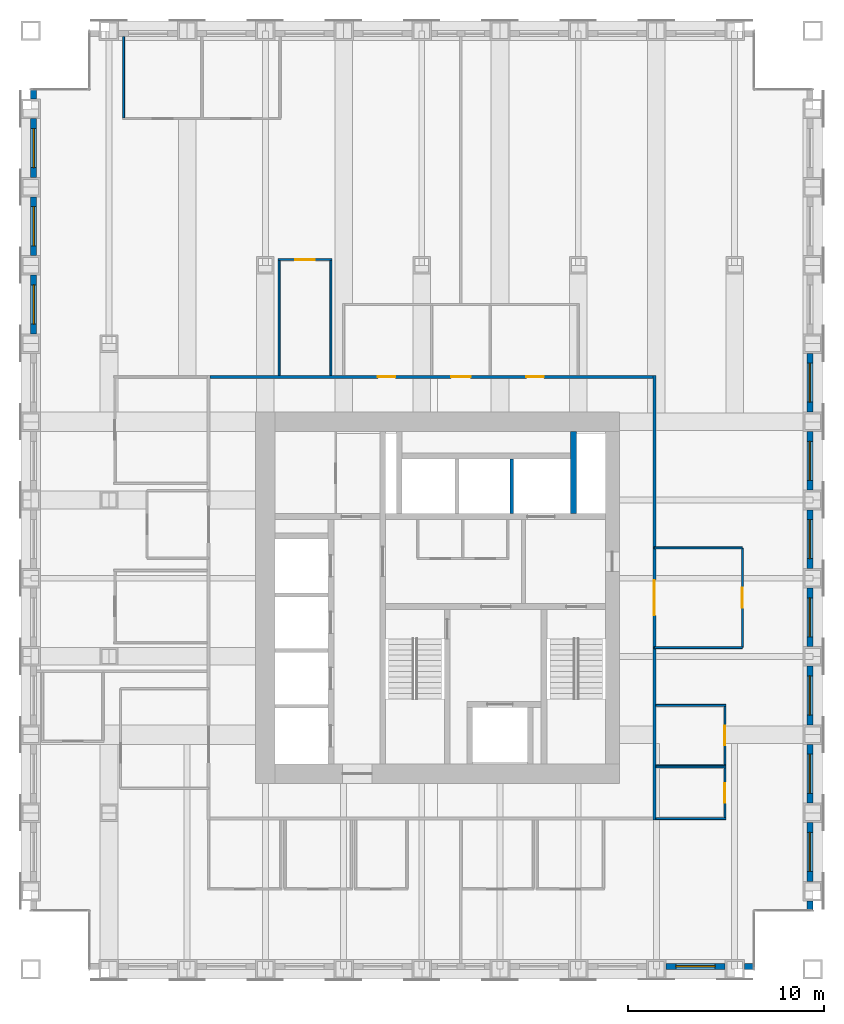
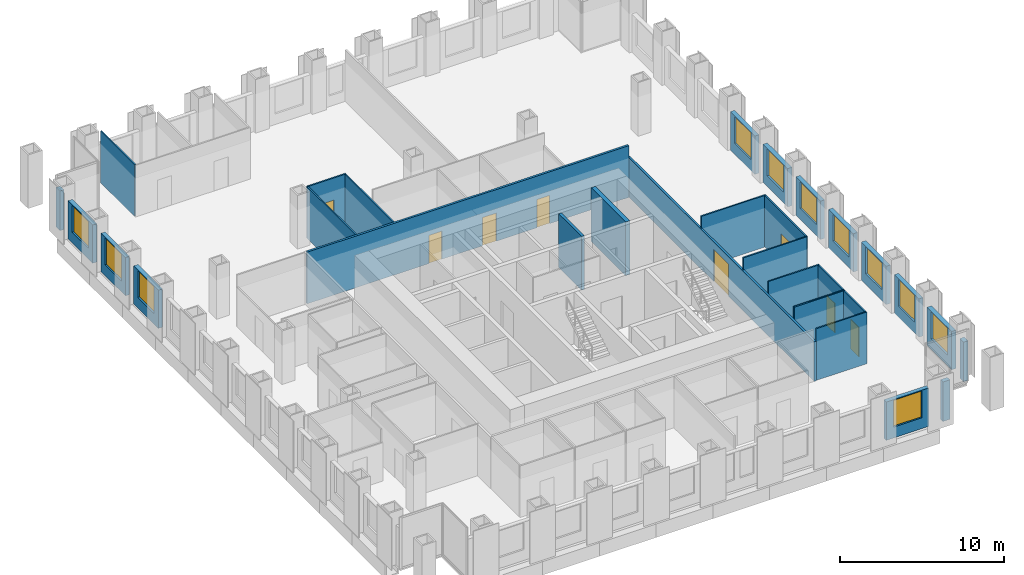
# One storey, part 11 of 14: 31 walls, 11 windows, 8 doors, 19 openings.
"""IFC4 building model written with IfcOpenShell, lengths in metres."""

from ifc_helpers import new_model, si_unit, direction, frame, frame_2d, origin, place, context, subcontext, project, spatial, rectangle, extrude, material, layer, layer_set, type_object, element, fill, save


model = new_model("IFC4")

# Units and contexts
model_context = context("Model", 3, precision=1e-05, world=origin(), true_north=direction((0.0, 1.0)))
body_context = subcontext(model_context, "Body", "Model", "MODEL_VIEW")
ifc_project = project(units=[si_unit("LENGTHUNIT", "METRE"), si_unit("AREAUNIT", "SQUARE_METRE"), si_unit("VOLUMEUNIT", "CUBIC_METRE"), si_unit("PLANEANGLEUNIT", "RADIAN"), si_unit("MASSUNIT", "GRAM", prefix="KILO")], contexts=[model_context])

# Site, building, storey
site_placement = place(None, origin())
site = spatial("IfcSite", under=ifc_project, at=site_placement, CompositionType="ELEMENT")
building_placement = place(site_placement, origin())
building = spatial("IfcBuilding", under=site, at=building_placement, Name="Rimbunsela Tower", CompositionType="ELEMENT")
storey_placement = place(building_placement, frame((0.0, 0.0, 179.800048828125)))
storey = spatial("IfcBuildingStorey", under=building, at=storey_placement, Name="L43", CompositionType="ELEMENT", Elevation=179.800048828125)

# Walls
ifc_material_1 = material(Name="Concrete fc' 80 MPa", Category="concrete")
ifc_layer_1 = layer(ifc_material_1, 0.300048828125)
ifc_layer_set_1 = layer_set([ifc_layer_1], Name="Core internal wall 300")
wall_type_1 = type_object("IfcWallType", Name="Core internal wall 300", PredefinedType="SHEAR", material=ifc_layer_set_1)
wall_1_placement = place(storey_placement, frame((33.75, 31.300048828125, -0.150146484375), z_axis=(0.0, 0.0, 1.0), x_axis=(0.0, 1.0, 0.0)))
element("IfcWall", 1, at=wall_1_placement, inside=storey, type_object=wall_type_1, Name="Riser wall", PredefinedType="SHEAR", context=body_context, shape_type="SweptSolid", body=[
    extrude(rectangle(XDim=4.199951171875, YDim=0.300048828125, at=frame_2d((2.10009765625, 0.0))), origin(), (0.0, 0.0, 1.0), 4.0),
])
ifc_material_2 = material(Name="Concrete blockwork", Category="masonry")
ifc_layer_2 = layer(ifc_material_2, 0.199951171875)
ifc_layer_set_2 = layer_set([ifc_layer_2], Name="Lift shaft wall 200")
wall_type_2 = type_object("IfcWallType", Name="Lift shaft wall 200", PredefinedType="SOLIDWALL", material=ifc_layer_set_2)
wall_2_placement = place(storey_placement, frame((30.60009765625, 31.300048828125, -0.150146484375), z_axis=(0.0, 0.0, 1.0), x_axis=(0.0, 1.0, 0.0)))
element("IfcWall", 2, at=wall_2_placement, inside=storey, type_object=wall_type_2, Name="Lift shaft separation", PredefinedType="SOLIDWALL", context=body_context, shape_type="SweptSolid", body=[
    extrude(rectangle(XDim=2.800048828125, YDim=0.199951171875, at=frame_2d((1.39990234375, 0.0))), origin(), (0.0, 0.0, 1.0), 4.0),
])
ifc_material_3 = material(Name="Gypsum board on steel studs", Category="steel")
ifc_layer_3 = layer(ifc_material_3, 0.10009765625)
ifc_layer_set_3 = layer_set([ifc_layer_3], Name="Office partition 100")
wall_type_3 = type_object("IfcWallType", Name="Office partition 100", PredefinedType="PARTITIONING", material=ifc_layer_set_3)
for number, where, z_axis, x_axis, name in (
    (3, (37.97509765625, 15.699951171875, 0.0), (0.0, 0.0, 1.0), (1.0, 0.0, 0.0), "Office partition"),
    (4, (37.97509765625, 18.35009765625, 0.0), (0.0, 0.0, 1.0), (1.0, 0.0, 0.0), "Office partition"),
    (5, (37.97509765625, 18.39990234375, 0.0), (0.0, 0.0, 1.0), (1.0, 0.0, 0.0), "Office partition"),
    (6, (37.97509765625, 21.5, 0.0), (0.0, 0.0, 1.0), (1.0, 0.0, 0.0), "Office partition"),
):
    element("IfcWall", number, at=place(storey_placement, frame(where, z_axis=z_axis, x_axis=x_axis)), inside=storey, type_object=wall_type_3, Name=name, PredefinedType="PARTITIONING", context=body_context, shape_type="SweptSolid", body=[
        extrude(rectangle(XDim=3.574951171875, YDim=0.10009765625, at=frame_2d((1.78759765625, 0.0))), origin(), (0.0, 0.0, 1.0), 3.849853515625),
    ])

# Wall, opening, door
wall_3_placement = place(storey_placement, frame((18.64990234375, 44.300048828125, 0.0), z_axis=(0.0, 0.0, 1.0), x_axis=(1.0, 0.0, 0.0)))
wall_3 = element("IfcWall", 7, at=wall_3_placement, inside=storey, type_object=wall_type_3, Name="Office partition", PredefinedType="PARTITIONING", context=body_context, shape_type="SweptSolid", body=[
    extrude(rectangle(XDim=2.75, YDim=0.10009765625, at=frame_2d((1.375, 0.0))), origin(), (0.0, 0.0, 1.0), 3.849853515625),
])
opening_1_placement = place(wall_3_placement, frame((0.875, 0.0, 0.0)))
opening_1 = element("IfcOpeningElement", 8, at=opening_1_placement, cuts=wall_3, Name="Opening D16", PredefinedType="OPENING", context=body_context, shape_type="SweptSolid", body=[
    extrude(rectangle(XDim=1.0, YDim=2.199951171875, at=frame_2d((0.5, 1.10009765625))), frame((0.0, 0.06005859375, 0.0), z_axis=(0.0, -1.0, 0.0), x_axis=(1.0, 0.0, 0.0)), (0.0, 0.0, 1.0), 0.1201171875),
])
ifc_material_4 = material(Name="Timber door", Category="wood")
door_type_1 = type_object("IfcDoorType", Name="Office door 1000", OperationType="SINGLE_SWING_LEFT", PredefinedType="DOOR", material=ifc_material_4)
door_1_placement = place(opening_1_placement, origin())
door_1 = element("IfcDoor", 9, at=door_1_placement, inside=storey, type_object=door_type_1, Name="Office door", OperationType="SINGLE_SWING_LEFT", OverallHeight=2.199951171875, OverallWidth=1.0, PredefinedType="DOOR", context=body_context, shape_type="SweptSolid", body=[
    extrude(rectangle(XDim=1.0, YDim=2.199951171875, at=frame_2d((0.5, 1.10009765625))), frame((0.0, 0.02490234375, 0.0), z_axis=(0.0, -1.0, 0.0), x_axis=(1.0, 0.0, 0.0)), (0.0, 0.0, 1.0), 0.050048828125),
])
fill(opening_1, door_1)

# Walls
wall_4_placement = place(storey_placement, frame((10.75, 51.550048828125, 0.0), z_axis=(0.0, 0.0, 1.0), x_axis=(0.0, 1.0, 0.0)))
element("IfcWall", 10, at=wall_4_placement, inside=storey, type_object=wall_type_3, Name="Office partition", PredefinedType="PARTITIONING", context=body_context, shape_type="SweptSolid", body=[
    extrude(rectangle(XDim=4.14990234375, YDim=0.10009765625, at=frame_2d((2.074951171875, 0.0))), origin(), (0.0, 0.0, 1.0), 3.849853515625),
])
for number, where, z_axis, x_axis, name in (
    (11, (18.699951171875, 38.375, 0.0), (0.0, 0.0, 1.0), (0.0, 1.0, 0.0), "Office partition"),
    (12, (21.35009765625, 38.375, 0.0), (0.0, 0.0, 1.0), (0.0, 1.0, 0.0), "Office partition"),
):
    element("IfcWall", number, at=place(storey_placement, frame(where, z_axis=z_axis, x_axis=x_axis)), inside=storey, type_object=wall_type_3, Name=name, PredefinedType="PARTITIONING", context=body_context, shape_type="SweptSolid", body=[
        extrude(rectangle(XDim=5.875, YDim=0.10009765625, at=frame_2d((2.9375, 0.0))), origin(), (0.0, 0.0, 1.0), 3.849853515625),
    ])

# Wall, opening, door
wall_5_placement = place(storey_placement, frame((41.5, 15.75, 0.0), z_axis=(0.0, 0.0, 1.0), x_axis=(0.0, 1.0, 0.0)))
wall_5 = element("IfcWall", 13, at=wall_5_placement, inside=storey, type_object=wall_type_3, Name="Office partition", PredefinedType="PARTITIONING", context=body_context, shape_type="SweptSolid", body=[
    extrude(rectangle(XDim=2.550048828125, YDim=0.10009765625, at=frame_2d((1.27490234375, 0.0))), origin(), (0.0, 0.0, 1.0), 3.849853515625),
])
opening_2_placement = place(wall_5_placement, frame((0.77490234375, 0.0, 0.0)))
opening_2 = element("IfcOpeningElement", 14, at=opening_2_placement, cuts=wall_5, Name="Opening D16", PredefinedType="OPENING", context=body_context, shape_type="SweptSolid", body=[
    extrude(rectangle(XDim=1.0, YDim=2.199951171875, at=frame_2d((0.5, 1.10009765625))), frame((0.0, 0.06005859375, 0.0), z_axis=(0.0, -1.0, 0.0), x_axis=(1.0, 0.0, 0.0)), (0.0, 0.0, 1.0), 0.1201171875),
])
door_2_placement = place(opening_2_placement, origin())
door_2 = element("IfcDoor", 15, at=door_2_placement, inside=storey, type_object=door_type_1, Name="Office door", OperationType="SINGLE_SWING_LEFT", OverallHeight=2.199951171875, OverallWidth=1.0, PredefinedType="DOOR", context=body_context, shape_type="SweptSolid", body=[
    extrude(rectangle(XDim=1.0, YDim=2.199951171875, at=frame_2d((0.5, 1.10009765625))), frame((0.0, 0.02490234375, 0.0), z_axis=(0.0, -1.0, 0.0), x_axis=(1.0, 0.0, 0.0)), (0.0, 0.0, 1.0), 0.050048828125),
])
fill(opening_2, door_2)

wall_6_placement = place(storey_placement, frame((41.5, 18.449951171875, 0.0), z_axis=(0.0, 0.0, 1.0), x_axis=(0.0, 1.0, 0.0)))
wall_6 = element("IfcWall", 16, at=wall_6_placement, inside=storey, type_object=wall_type_3, Name="Office partition", PredefinedType="PARTITIONING", context=body_context, shape_type="SweptSolid", body=[
    extrude(rectangle(XDim=3.0, YDim=0.10009765625, at=frame_2d((1.5, 0.0))), origin(), (0.0, 0.0, 1.0), 3.849853515625),
])
opening_3_placement = place(wall_6_placement, frame((1.0, 0.0, 0.0)))
opening_3 = element("IfcOpeningElement", 17, at=opening_3_placement, cuts=wall_6, Name="Opening D16", PredefinedType="OPENING", context=body_context, shape_type="SweptSolid", body=[
    extrude(rectangle(XDim=1.0, YDim=2.199951171875, at=frame_2d((0.5, 1.10009765625))), frame((0.0, 0.06005859375, 0.0), z_axis=(0.0, -1.0, 0.0), x_axis=(1.0, 0.0, 0.0)), (0.0, 0.0, 1.0), 0.1201171875),
])
door_3_placement = place(opening_3_placement, origin())
door_3 = element("IfcDoor", 18, at=door_3_placement, inside=storey, type_object=door_type_1, Name="Office door", OperationType="SINGLE_SWING_LEFT", OverallHeight=2.199951171875, OverallWidth=1.0, PredefinedType="DOOR", context=body_context, shape_type="SweptSolid", body=[
    extrude(rectangle(XDim=1.0, YDim=2.199951171875, at=frame_2d((0.5, 1.10009765625))), frame((0.0, 0.02490234375, 0.0), z_axis=(0.0, -1.0, 0.0), x_axis=(1.0, 0.0, 0.0)), (0.0, 0.0, 1.0), 0.050048828125),
])
fill(opening_3, door_3)

# Wall
wall_7_placement = place(storey_placement, frame((37.89990234375, 24.449951171875, 0.0), z_axis=(0.0, 0.0, 1.0), x_axis=(1.0, 0.0, 0.0)))
element("IfcWall", 19, at=wall_7_placement, inside=storey, type_object=wall_type_3, Name="Office partition", PredefinedType="PARTITIONING", context=body_context, shape_type="SweptSolid", body=[
    extrude(rectangle(XDim=4.5, YDim=0.10009765625, at=frame_2d((2.25, 0.0))), origin(), (0.0, 0.0, 1.0), 3.849853515625),
])

# Wall, opening, door
wall_8_placement = place(storey_placement, frame((42.39990234375, 24.449951171875, 0.0), z_axis=(0.0, 0.0, 1.0), x_axis=(0.0, 1.0, 0.0)))
wall_8 = element("IfcWall", 20, at=wall_8_placement, inside=storey, type_object=wall_type_3, Name="Office partition", PredefinedType="PARTITIONING", context=body_context, shape_type="SweptSolid", body=[
    extrude(rectangle(XDim=5.10009765625, YDim=0.10009765625, at=frame_2d((2.550048828125, 0.0))), origin(), (0.0, 0.0, 1.0), 3.849853515625),
])
opening_4_placement = place(wall_8_placement, frame((2.050048828125, 0.0, 0.0)))
opening_4 = element("IfcOpeningElement", 21, at=opening_4_placement, cuts=wall_8, Name="Opening D17", PredefinedType="OPENING", context=body_context, shape_type="SweptSolid", body=[
    extrude(rectangle(XDim=1.0, YDim=2.199951171875, at=frame_2d((0.5, 1.10009765625))), frame((0.0, 0.06005859375, 0.0), z_axis=(0.0, -1.0, 0.0), x_axis=(1.0, 0.0, 0.0)), (0.0, 0.0, 1.0), 0.1201171875),
])
ifc_material_5 = material(Name="Glazed aluminium door", Category="aluminium")
door_type_2 = type_object("IfcDoorType", Name="Meeting room door 1000 glazed", OperationType="SINGLE_SWING_RIGHT", PredefinedType="DOOR", material=ifc_material_5)
door_4_placement = place(opening_4_placement, origin())
door_4 = element("IfcDoor", 22, at=door_4_placement, inside=storey, type_object=door_type_2, Name="Reception door", OperationType="SINGLE_SWING_RIGHT", OverallHeight=2.199951171875, OverallWidth=1.0, PredefinedType="DOOR", context=body_context, shape_type="SweptSolid", body=[
    extrude(rectangle(XDim=1.0, YDim=2.199951171875, at=frame_2d((0.5, 1.10009765625))), frame((0.0, 0.02490234375, 0.0), z_axis=(0.0, -1.0, 0.0), x_axis=(1.0, 0.0, 0.0)), (0.0, 0.0, 1.0), 0.050048828125),
])
fill(opening_4, door_4)

# Wall
wall_9_placement = place(storey_placement, frame((42.39990234375, 29.550048828125, 0.0), z_axis=(0.0, 0.0, 1.0), x_axis=(-1.0, 0.0, 0.0)))
element("IfcWall", 23, at=wall_9_placement, inside=storey, type_object=wall_type_3, Name="Office partition", PredefinedType="PARTITIONING", context=body_context, shape_type="SweptSolid", body=[
    extrude(rectangle(XDim=4.5, YDim=0.10009765625, at=frame_2d((2.25, 0.0))), origin(), (0.0, 0.0, 1.0), 3.849853515625),
])

# Wall, opening, window
ifc_material_6 = material(Name="Precast concrete fc' 35 MPa", Category="concrete")
ifc_layer_4 = layer(ifc_material_6, 0.300048828125)
ifc_layer_set_4 = layer_set([ifc_layer_4], Name="Precast concrete fc' 35 MPa")
wall_type_4 = type_object("IfcWallType", Name="Precast facade panel 300", PredefinedType="ELEMENTEDWALL", material=ifc_layer_set_4)
wall_10_placement = place(storey_placement, frame((38.5, 8.14990234375, 0.0), z_axis=(0.0, 0.0, 1.0), x_axis=(1.0, 0.0, 0.0)))
wall_10 = element("IfcWall", 24, at=wall_10_placement, inside=storey, type_object=wall_type_4, Name="Facade panel S L43", PredefinedType="ELEMENTEDWALL", context=body_context, shape_type="SweptSolid", body=[
    extrude(rectangle(XDim=3.0, YDim=0.300048828125, at=frame_2d((1.5, 0.0))), origin(), (0.0, 0.0, 1.0), 2.849853515625),
])
opening_5_placement = place(wall_10_placement, frame((0.5, 0.0, 0.800048828125)))
opening_5 = element("IfcOpeningElement", 25, at=opening_5_placement, cuts=wall_10, Name="Opening W1", PredefinedType="OPENING", context=body_context, shape_type="SweptSolid", body=[
    extrude(rectangle(XDim=2.0, YDim=2.0, at=frame_2d((1.0, 1.0))), frame((0.0, 0.159912109375, 0.0), z_axis=(0.0, -1.0, 0.0), x_axis=(1.0, 0.0, 0.0)), (0.0, 0.0, 1.0), 0.320068359375),
])
ifc_material_7 = material(Name="Clear glass in aluminium frame", Category="aluminium")
window_type = type_object("IfcWindowType", Name="Window W1 2000x2000", PartitioningType="DOUBLE_PANEL_VERTICAL", PredefinedType="WINDOW", material=ifc_material_7)
window_1_placement = place(opening_5_placement, origin())
window_1 = element("IfcWindow", 26, at=window_1_placement, inside=storey, type_object=window_type, Name="Window L43", OverallHeight=2.0, OverallWidth=2.0, PartitioningType="SINGLE_PANEL", PredefinedType="WINDOW", context=body_context, shape_type="SweptSolid", body=[
    extrude(rectangle(XDim=2.0, YDim=2.0, at=frame_2d((1.0, 1.0))), frame((0.0, 0.030029296875, 0.0), z_axis=(0.0, -1.0, 0.0), x_axis=(1.0, 0.0, 0.0)), (0.0, 0.0, 1.0), 0.06005859375),
])
fill(opening_5, window_1)

# Walls
for number, where, z_axis, x_axis, name in (
    (27, (42.5, 8.14990234375, 0.0), (0.0, 0.0, 1.0), (1.0, 0.0, 0.0), "Facade panel S L43"),
    (28, (45.85009765625, 11.030029296875, 0.0), (0.0, 0.0, 1.0), (0.0, 1.0, 0.0), "Facade panel E L43"),
):
    element("IfcWall", number, at=place(storey_placement, frame(where, z_axis=z_axis, x_axis=x_axis)), inside=storey, type_object=wall_type_4, Name=name, PredefinedType="ELEMENTEDWALL", context=body_context, shape_type="SweptSolid", body=[
        extrude(rectangle(XDim=0.469970703125, YDim=0.300048828125, at=frame_2d((0.23486328125, 0.0))), origin(), (0.0, 0.0, 1.0), 2.949951171875),
    ])

# Wall, opening, window
wall_11_placement = place(storey_placement, frame((45.85009765625, 12.5, 0.0), z_axis=(0.0, 0.0, 1.0), x_axis=(0.0, 1.0, 0.0)))
wall_11 = element("IfcWall", 29, at=wall_11_placement, inside=storey, type_object=wall_type_4, Name="Facade panel E L43", PredefinedType="ELEMENTEDWALL", context=body_context, shape_type="SweptSolid", body=[
    extrude(rectangle(XDim=3.0, YDim=0.300048828125, at=frame_2d((1.5, 0.0))), origin(), (0.0, 0.0, 1.0), 2.849853515625),
])
opening_6_placement = place(wall_11_placement, frame((0.5, 0.0, 0.800048828125)))
opening_6 = element("IfcOpeningElement", 30, at=opening_6_placement, cuts=wall_11, Name="Opening W1", PredefinedType="OPENING", context=body_context, shape_type="SweptSolid", body=[
    extrude(rectangle(XDim=2.0, YDim=2.0, at=frame_2d((1.0, 1.0))), frame((0.0, 0.159912109375, 0.0), z_axis=(0.0, -1.0, 0.0), x_axis=(1.0, 0.0, 0.0)), (0.0, 0.0, 1.0), 0.320068359375),
])
window_2_placement = place(opening_6_placement, origin())
window_2 = element("IfcWindow", 31, at=window_2_placement, inside=storey, type_object=window_type, Name="Window L43", OverallHeight=2.0, OverallWidth=2.0, PartitioningType="SINGLE_PANEL", PredefinedType="WINDOW", context=body_context, shape_type="SweptSolid", body=[
    extrude(rectangle(XDim=2.0, YDim=2.0, at=frame_2d((1.0, 1.0))), frame((0.0, 0.030029296875, 0.0), z_axis=(0.0, -1.0, 0.0), x_axis=(1.0, 0.0, 0.0)), (0.0, 0.0, 1.0), 0.06005859375),
])
fill(opening_6, window_2)

wall_12_placement = place(storey_placement, frame((45.85009765625, 16.5, 0.0), z_axis=(0.0, 0.0, 1.0), x_axis=(0.0, 1.0, 0.0)))
wall_12 = element("IfcWall", 32, at=wall_12_placement, inside=storey, type_object=wall_type_4, Name="Facade panel E L43", PredefinedType="ELEMENTEDWALL", context=body_context, shape_type="SweptSolid", body=[
    extrude(rectangle(XDim=3.0, YDim=0.300048828125, at=frame_2d((1.5, 0.0))), origin(), (0.0, 0.0, 1.0), 2.849853515625),
])
opening_7_placement = place(wall_12_placement, frame((0.5, 0.0, 0.800048828125)))
opening_7 = element("IfcOpeningElement", 33, at=opening_7_placement, cuts=wall_12, Name="Opening W1", PredefinedType="OPENING", context=body_context, shape_type="SweptSolid", body=[
    extrude(rectangle(XDim=2.0, YDim=2.0, at=frame_2d((1.0, 1.0))), frame((0.0, 0.159912109375, 0.0), z_axis=(0.0, -1.0, 0.0), x_axis=(1.0, 0.0, 0.0)), (0.0, 0.0, 1.0), 0.320068359375),
])
window_3_placement = place(opening_7_placement, origin())
window_3 = element("IfcWindow", 34, at=window_3_placement, inside=storey, type_object=window_type, Name="Window L43", OverallHeight=2.0, OverallWidth=2.0, PartitioningType="SINGLE_PANEL", PredefinedType="WINDOW", context=body_context, shape_type="SweptSolid", body=[
    extrude(rectangle(XDim=2.0, YDim=2.0, at=frame_2d((1.0, 1.0))), frame((0.0, 0.030029296875, 0.0), z_axis=(0.0, -1.0, 0.0), x_axis=(1.0, 0.0, 0.0)), (0.0, 0.0, 1.0), 0.06005859375),
])
fill(opening_7, window_3)

wall_13_placement = place(storey_placement, frame((45.85009765625, 20.5, 0.0), z_axis=(0.0, 0.0, 1.0), x_axis=(0.0, 1.0, 0.0)))
wall_13 = element("IfcWall", 35, at=wall_13_placement, inside=storey, type_object=wall_type_4, Name="Facade panel E L43", PredefinedType="ELEMENTEDWALL", context=body_context, shape_type="SweptSolid", body=[
    extrude(rectangle(XDim=3.0, YDim=0.300048828125, at=frame_2d((1.5, 0.0))), origin(), (0.0, 0.0, 1.0), 2.849853515625),
])
opening_8_placement = place(wall_13_placement, frame((0.5, 0.0, 0.800048828125)))
opening_8 = element("IfcOpeningElement", 36, at=opening_8_placement, cuts=wall_13, Name="Opening W1", PredefinedType="OPENING", context=body_context, shape_type="SweptSolid", body=[
    extrude(rectangle(XDim=2.0, YDim=2.0, at=frame_2d((1.0, 1.0))), frame((0.0, 0.159912109375, 0.0), z_axis=(0.0, -1.0, 0.0), x_axis=(1.0, 0.0, 0.0)), (0.0, 0.0, 1.0), 0.320068359375),
])
window_4_placement = place(opening_8_placement, origin())
window_4 = element("IfcWindow", 37, at=window_4_placement, inside=storey, type_object=window_type, Name="Window L43", OverallHeight=2.0, OverallWidth=2.0, PartitioningType="SINGLE_PANEL", PredefinedType="WINDOW", context=body_context, shape_type="SweptSolid", body=[
    extrude(rectangle(XDim=2.0, YDim=2.0, at=frame_2d((1.0, 1.0))), frame((0.0, 0.030029296875, 0.0), z_axis=(0.0, -1.0, 0.0), x_axis=(1.0, 0.0, 0.0)), (0.0, 0.0, 1.0), 0.06005859375),
])
fill(opening_8, window_4)

wall_14_placement = place(storey_placement, frame((45.85009765625, 24.5, 0.0), z_axis=(0.0, 0.0, 1.0), x_axis=(0.0, 1.0, 0.0)))
wall_14 = element("IfcWall", 38, at=wall_14_placement, inside=storey, type_object=wall_type_4, Name="Facade panel E L43", PredefinedType="ELEMENTEDWALL", context=body_context, shape_type="SweptSolid", body=[
    extrude(rectangle(XDim=3.0, YDim=0.300048828125, at=frame_2d((1.5, 0.0))), origin(), (0.0, 0.0, 1.0), 2.849853515625),
])
opening_9_placement = place(wall_14_placement, frame((0.5, 0.0, 0.800048828125)))
opening_9 = element("IfcOpeningElement", 39, at=opening_9_placement, cuts=wall_14, Name="Opening W1", PredefinedType="OPENING", context=body_context, shape_type="SweptSolid", body=[
    extrude(rectangle(XDim=2.0, YDim=2.0, at=frame_2d((1.0, 1.0))), frame((0.0, 0.159912109375, 0.0), z_axis=(0.0, -1.0, 0.0), x_axis=(1.0, 0.0, 0.0)), (0.0, 0.0, 1.0), 0.320068359375),
])
window_5_placement = place(opening_9_placement, origin())
window_5 = element("IfcWindow", 40, at=window_5_placement, inside=storey, type_object=window_type, Name="Window L43", OverallHeight=2.0, OverallWidth=2.0, PartitioningType="SINGLE_PANEL", PredefinedType="WINDOW", context=body_context, shape_type="SweptSolid", body=[
    extrude(rectangle(XDim=2.0, YDim=2.0, at=frame_2d((1.0, 1.0))), frame((0.0, 0.030029296875, 0.0), z_axis=(0.0, -1.0, 0.0), x_axis=(1.0, 0.0, 0.0)), (0.0, 0.0, 1.0), 0.06005859375),
])
fill(opening_9, window_5)

wall_15_placement = place(storey_placement, frame((45.85009765625, 28.5, 0.0), z_axis=(0.0, 0.0, 1.0), x_axis=(0.0, 1.0, 0.0)))
wall_15 = element("IfcWall", 41, at=wall_15_placement, inside=storey, type_object=wall_type_4, Name="Facade panel E L43", PredefinedType="ELEMENTEDWALL", context=body_context, shape_type="SweptSolid", body=[
    extrude(rectangle(XDim=3.0, YDim=0.300048828125, at=frame_2d((1.5, 0.0))), origin(), (0.0, 0.0, 1.0), 2.849853515625),
])
opening_10_placement = place(wall_15_placement, frame((0.5, 0.0, 0.800048828125)))
opening_10 = element("IfcOpeningElement", 42, at=opening_10_placement, cuts=wall_15, Name="Opening W1", PredefinedType="OPENING", context=body_context, shape_type="SweptSolid", body=[
    extrude(rectangle(XDim=2.0, YDim=2.0, at=frame_2d((1.0, 1.0))), frame((0.0, 0.159912109375, 0.0), z_axis=(0.0, -1.0, 0.0), x_axis=(1.0, 0.0, 0.0)), (0.0, 0.0, 1.0), 0.320068359375),
])
window_6_placement = place(opening_10_placement, origin())
window_6 = element("IfcWindow", 43, at=window_6_placement, inside=storey, type_object=window_type, Name="Window L43", OverallHeight=2.0, OverallWidth=2.0, PartitioningType="SINGLE_PANEL", PredefinedType="WINDOW", context=body_context, shape_type="SweptSolid", body=[
    extrude(rectangle(XDim=2.0, YDim=2.0, at=frame_2d((1.0, 1.0))), frame((0.0, 0.030029296875, 0.0), z_axis=(0.0, -1.0, 0.0), x_axis=(1.0, 0.0, 0.0)), (0.0, 0.0, 1.0), 0.06005859375),
])
fill(opening_10, window_6)

wall_16_placement = place(storey_placement, frame((45.85009765625, 32.5, 0.0), z_axis=(0.0, 0.0, 1.0), x_axis=(0.0, 1.0, 0.0)))
wall_16 = element("IfcWall", 44, at=wall_16_placement, inside=storey, type_object=wall_type_4, Name="Facade panel E L43", PredefinedType="ELEMENTEDWALL", context=body_context, shape_type="SweptSolid", body=[
    extrude(rectangle(XDim=3.0, YDim=0.300048828125, at=frame_2d((1.5, 0.0))), origin(), (0.0, 0.0, 1.0), 2.849853515625),
])
opening_11_placement = place(wall_16_placement, frame((0.5, 0.0, 0.800048828125)))
opening_11 = element("IfcOpeningElement", 45, at=opening_11_placement, cuts=wall_16, Name="Opening W1", PredefinedType="OPENING", context=body_context, shape_type="SweptSolid", body=[
    extrude(rectangle(XDim=2.0, YDim=2.0, at=frame_2d((1.0, 1.0))), frame((0.0, 0.159912109375, 0.0), z_axis=(0.0, -1.0, 0.0), x_axis=(1.0, 0.0, 0.0)), (0.0, 0.0, 1.0), 0.320068359375),
])
window_7_placement = place(opening_11_placement, origin())
window_7 = element("IfcWindow", 46, at=window_7_placement, inside=storey, type_object=window_type, Name="Window L43", OverallHeight=2.0, OverallWidth=2.0, PartitioningType="SINGLE_PANEL", PredefinedType="WINDOW", context=body_context, shape_type="SweptSolid", body=[
    extrude(rectangle(XDim=2.0, YDim=2.0, at=frame_2d((1.0, 1.0))), frame((0.0, 0.030029296875, 0.0), z_axis=(0.0, -1.0, 0.0), x_axis=(1.0, 0.0, 0.0)), (0.0, 0.0, 1.0), 0.06005859375),
])
fill(opening_11, window_7)

wall_17_placement = place(storey_placement, frame((45.85009765625, 36.5, 0.0), z_axis=(0.0, 0.0, 1.0), x_axis=(0.0, 1.0, 0.0)))
wall_17 = element("IfcWall", 47, at=wall_17_placement, inside=storey, type_object=wall_type_4, Name="Facade panel E L43", PredefinedType="ELEMENTEDWALL", context=body_context, shape_type="SweptSolid", body=[
    extrude(rectangle(XDim=3.0, YDim=0.300048828125, at=frame_2d((1.5, 0.0))), origin(), (0.0, 0.0, 1.0), 2.849853515625),
])
opening_12_placement = place(wall_17_placement, frame((0.5, 0.0, 0.800048828125)))
opening_12 = element("IfcOpeningElement", 48, at=opening_12_placement, cuts=wall_17, Name="Opening W1", PredefinedType="OPENING", context=body_context, shape_type="SweptSolid", body=[
    extrude(rectangle(XDim=2.0, YDim=2.0, at=frame_2d((1.0, 1.0))), frame((0.0, 0.159912109375, 0.0), z_axis=(0.0, -1.0, 0.0), x_axis=(1.0, 0.0, 0.0)), (0.0, 0.0, 1.0), 0.320068359375),
])
window_8_placement = place(opening_12_placement, origin())
window_8 = element("IfcWindow", 49, at=window_8_placement, inside=storey, type_object=window_type, Name="Window L43", OverallHeight=2.0, OverallWidth=2.0, PartitioningType="SINGLE_PANEL", PredefinedType="WINDOW", context=body_context, shape_type="SweptSolid", body=[
    extrude(rectangle(XDim=2.0, YDim=2.0, at=frame_2d((1.0, 1.0))), frame((0.0, 0.030029296875, 0.0), z_axis=(0.0, -1.0, 0.0), x_axis=(1.0, 0.0, 0.0)), (0.0, 0.0, 1.0), 0.06005859375),
])
fill(opening_12, window_8)

wall_18_placement = place(storey_placement, frame((6.14990234375, 43.5, 0.0), z_axis=(0.0, 0.0, 1.0), x_axis=(0.0, -1.0, 0.0)))
wall_18 = element("IfcWall", 50, at=wall_18_placement, inside=storey, type_object=wall_type_4, Name="Facade panel W L43", PredefinedType="ELEMENTEDWALL", context=body_context, shape_type="SweptSolid", body=[
    extrude(rectangle(XDim=3.0, YDim=0.300048828125, at=frame_2d((1.5, 0.0))), origin(), (0.0, 0.0, 1.0), 2.849853515625),
])
opening_13_placement = place(wall_18_placement, frame((0.5, 0.0, 0.800048828125)))
opening_13 = element("IfcOpeningElement", 51, at=opening_13_placement, cuts=wall_18, Name="Opening W1", PredefinedType="OPENING", context=body_context, shape_type="SweptSolid", body=[
    extrude(rectangle(XDim=2.0, YDim=2.0, at=frame_2d((1.0, 1.0))), frame((0.0, 0.159912109375, 0.0), z_axis=(0.0, -1.0, 0.0), x_axis=(1.0, 0.0, 0.0)), (0.0, 0.0, 1.0), 0.320068359375),
])
window_9_placement = place(opening_13_placement, origin())
window_9 = element("IfcWindow", 52, at=window_9_placement, inside=storey, type_object=window_type, Name="Window L43", OverallHeight=2.0, OverallWidth=2.0, PartitioningType="SINGLE_PANEL", PredefinedType="WINDOW", context=body_context, shape_type="SweptSolid", body=[
    extrude(rectangle(XDim=2.0, YDim=2.0, at=frame_2d((1.0, 1.0))), frame((0.0, 0.030029296875, 0.0), z_axis=(0.0, -1.0, 0.0), x_axis=(1.0, 0.0, 0.0)), (0.0, 0.0, 1.0), 0.06005859375),
])
fill(opening_13, window_9)

wall_19_placement = place(storey_placement, frame((6.14990234375, 47.5, 0.0), z_axis=(0.0, 0.0, 1.0), x_axis=(0.0, -1.0, 0.0)))
wall_19 = element("IfcWall", 53, at=wall_19_placement, inside=storey, type_object=wall_type_4, Name="Facade panel W L43", PredefinedType="ELEMENTEDWALL", context=body_context, shape_type="SweptSolid", body=[
    extrude(rectangle(XDim=3.0, YDim=0.300048828125, at=frame_2d((1.5, 0.0))), origin(), (0.0, 0.0, 1.0), 2.849853515625),
])
opening_14_placement = place(wall_19_placement, frame((0.5, 0.0, 0.800048828125)))
opening_14 = element("IfcOpeningElement", 54, at=opening_14_placement, cuts=wall_19, Name="Opening W1", PredefinedType="OPENING", context=body_context, shape_type="SweptSolid", body=[
    extrude(rectangle(XDim=2.0, YDim=2.0, at=frame_2d((1.0, 1.0))), frame((0.0, 0.159912109375, 0.0), z_axis=(0.0, -1.0, 0.0), x_axis=(1.0, 0.0, 0.0)), (0.0, 0.0, 1.0), 0.320068359375),
])
window_10_placement = place(opening_14_placement, origin())
window_10 = element("IfcWindow", 55, at=window_10_placement, inside=storey, type_object=window_type, Name="Window L43", OverallHeight=2.0, OverallWidth=2.0, PartitioningType="SINGLE_PANEL", PredefinedType="WINDOW", context=body_context, shape_type="SweptSolid", body=[
    extrude(rectangle(XDim=2.0, YDim=2.0, at=frame_2d((1.0, 1.0))), frame((0.0, 0.030029296875, 0.0), z_axis=(0.0, -1.0, 0.0), x_axis=(1.0, 0.0, 0.0)), (0.0, 0.0, 1.0), 0.06005859375),
])
fill(opening_14, window_10)

wall_20_placement = place(storey_placement, frame((6.14990234375, 51.5, 0.0), z_axis=(0.0, 0.0, 1.0), x_axis=(0.0, -1.0, 0.0)))
wall_20 = element("IfcWall", 56, at=wall_20_placement, inside=storey, type_object=wall_type_4, Name="Facade panel W L43", PredefinedType="ELEMENTEDWALL", context=body_context, shape_type="SweptSolid", body=[
    extrude(rectangle(XDim=3.0, YDim=0.300048828125, at=frame_2d((1.5, 0.0))), origin(), (0.0, 0.0, 1.0), 2.849853515625),
])
opening_15_placement = place(wall_20_placement, frame((0.5, 0.0, 0.800048828125)))
opening_15 = element("IfcOpeningElement", 57, at=opening_15_placement, cuts=wall_20, Name="Opening W1", PredefinedType="OPENING", context=body_context, shape_type="SweptSolid", body=[
    extrude(rectangle(XDim=2.0, YDim=2.0, at=frame_2d((1.0, 1.0))), frame((0.0, 0.159912109375, 0.0), z_axis=(0.0, -1.0, 0.0), x_axis=(1.0, 0.0, 0.0)), (0.0, 0.0, 1.0), 0.320068359375),
])
window_11_placement = place(opening_15_placement, origin())
window_11 = element("IfcWindow", 58, at=window_11_placement, inside=storey, type_object=window_type, Name="Window L43", OverallHeight=2.0, OverallWidth=2.0, PartitioningType="SINGLE_PANEL", PredefinedType="WINDOW", context=body_context, shape_type="SweptSolid", body=[
    extrude(rectangle(XDim=2.0, YDim=2.0, at=frame_2d((1.0, 1.0))), frame((0.0, 0.030029296875, 0.0), z_axis=(0.0, -1.0, 0.0), x_axis=(1.0, 0.0, 0.0)), (0.0, 0.0, 1.0), 0.06005859375),
])
fill(opening_15, window_11)

# Wall
wall_21_placement = place(storey_placement, frame((6.14990234375, 52.969970703125, 0.0), z_axis=(0.0, 0.0, 1.0), x_axis=(0.0, -1.0, 0.0)))
element("IfcWall", 59, at=wall_21_placement, inside=storey, type_object=wall_type_4, Name="Facade panel W L43", PredefinedType="ELEMENTEDWALL", context=body_context, shape_type="SweptSolid", body=[
    extrude(rectangle(XDim=0.469970703125, YDim=0.300048828125, at=frame_2d((0.23486328125, 0.0))), origin(), (0.0, 0.0, 1.0), 2.949951171875),
])

# Wall, opening, door
ifc_material_8 = material(Name="Fire-rated gypsum board on steel studs, EI 60", Category="steel")
ifc_layer_5 = layer(ifc_material_8, 0.14990234375)
ifc_layer_set_5 = layer_set([ifc_layer_5], Name="Rated corridor wall 150")
wall_type_5 = type_object("IfcWallType", Name="Rated corridor wall 150", PredefinedType="PARTITIONING", material=ifc_layer_set_5)
wall_22_placement = place(storey_placement, frame((37.89990234375, 15.625, 0.0), z_axis=(0.0, 0.0, 1.0), x_axis=(0.0, 1.0, 0.0)))
wall_22 = element("IfcWall", 60, at=wall_22_placement, inside=storey, type_object=wall_type_5, Name="Corridor wall east", PredefinedType="PARTITIONING", context=body_context, shape_type="SweptSolid", body=[
    extrude(rectangle(XDim=22.75, YDim=0.14990234375, at=frame_2d((11.375, 0.0))), origin(), (0.0, 0.0, 1.0), 2.949951171875),
])
opening_16_placement = place(wall_22_placement, frame((10.47509765625, 0.0, 0.0)))
opening_16 = element("IfcOpeningElement", 61, at=opening_16_placement, cuts=wall_22, Name="Opening D09", PredefinedType="OPENING", context=body_context, shape_type="SweptSolid", body=[
    extrude(rectangle(XDim=1.800048828125, YDim=2.39990234375, at=frame_2d((0.89990234375, 1.199951171875))), frame((0.0, 0.0849609375, 0.0), z_axis=(0.0, -1.0, 0.0), x_axis=(1.0, 0.0, 0.0)), (0.0, 0.0, 1.0), 0.169921875),
])
ifc_material_9 = material(Name="Glazed aluminium door, fire rated", Category="aluminium")
door_type_3 = type_object("IfcDoorType", Name="Tenancy door 1800 glazed", OperationType="DOUBLE_DOOR_DOUBLE_SWING", PredefinedType="DOOR", material=ifc_material_9)
door_5_placement = place(opening_16_placement, origin())
door_5 = element("IfcDoor", 62, at=door_5_placement, inside=storey, type_object=door_type_3, Name="Tenancy door", OperationType="DOUBLE_DOOR_DOUBLE_SWING", OverallHeight=2.39990234375, OverallWidth=1.800048828125, PredefinedType="DOOR", context=body_context, shape_type="SweptSolid", body=[
    extrude(rectangle(XDim=1.800048828125, YDim=2.39990234375, at=frame_2d((0.89990234375, 1.199951171875))), frame((0.0, 0.02490234375, 0.0), z_axis=(0.0, -1.0, 0.0), x_axis=(1.0, 0.0, 0.0)), (0.0, 0.0, 1.0), 0.050048828125),
])
fill(opening_16, door_5)

# Wall, openings, doors
wall_23_placement = place(storey_placement, frame((15.175048828125, 38.300048828125, 0.0), z_axis=(0.0, 0.0, 1.0), x_axis=(1.0, 0.0, 0.0)))
wall_23 = element("IfcWall", 63, at=wall_23_placement, inside=storey, type_object=wall_type_5, Name="Corridor wall north", PredefinedType="PARTITIONING", context=body_context, shape_type="SweptSolid", body=[
    extrude(rectangle(XDim=22.64990234375, YDim=0.14990234375, at=frame_2d((11.324951171875, 0.0))), origin(), (0.0, 0.0, 1.0), 3.849853515625),
])
opening_17_placement = place(wall_23_placement, frame((8.574951171875, 0.0, 0.0)))
opening_17 = element("IfcOpeningElement", 64, at=opening_17_placement, cuts=wall_23, Name="Opening D04", PredefinedType="OPENING", context=body_context, shape_type="SweptSolid", body=[
    extrude(rectangle(XDim=0.89990234375, YDim=2.10009765625, at=frame_2d((0.449951171875, 1.050048828125))), frame((0.0, 0.0849609375, 0.0), z_axis=(0.0, -1.0, 0.0), x_axis=(1.0, 0.0, 0.0)), (0.0, 0.0, 1.0), 0.169921875),
])
opening_18_placement = place(wall_23_placement, frame((12.324951171875, 0.0, 0.0)))
opening_18 = element("IfcOpeningElement", 65, at=opening_18_placement, cuts=wall_23, Name="Opening D05", PredefinedType="OPENING", context=body_context, shape_type="SweptSolid", body=[
    extrude(rectangle(XDim=1.0, YDim=2.10009765625, at=frame_2d((0.5, 1.050048828125))), frame((0.0, 0.0849609375, 0.0), z_axis=(0.0, -1.0, 0.0), x_axis=(1.0, 0.0, 0.0)), (0.0, 0.0, 1.0), 0.169921875),
])
opening_19_placement = place(wall_23_placement, frame((16.175048828125, 0.0, 0.0)))
opening_19 = element("IfcOpeningElement", 66, at=opening_19_placement, cuts=wall_23, Name="Opening D04", PredefinedType="OPENING", context=body_context, shape_type="SweptSolid", body=[
    extrude(rectangle(XDim=0.89990234375, YDim=2.10009765625, at=frame_2d((0.449951171875, 1.050048828125))), frame((0.0, 0.0849609375, 0.0), z_axis=(0.0, -1.0, 0.0), x_axis=(1.0, 0.0, 0.0)), (0.0, 0.0, 1.0), 0.169921875),
])
ifc_material_10 = material(Name="Timber door", Category="wood")
door_type_4 = type_object("IfcDoorType", Name="Accessible WC door 1000", OperationType="SLIDING_TO_LEFT", PredefinedType="DOOR", material=ifc_material_10)
door_6_placement = place(opening_18_placement, origin())
door_6 = element("IfcDoor", 67, at=door_6_placement, inside=storey, type_object=door_type_4, Name="Accessible WC door", OperationType="SLIDING_TO_LEFT", OverallHeight=2.10009765625, OverallWidth=1.0, PredefinedType="DOOR", context=body_context, shape_type="SweptSolid", body=[
    extrude(rectangle(XDim=1.0, YDim=2.10009765625, at=frame_2d((0.5, 1.050048828125))), frame((0.0, 0.02490234375, 0.0), z_axis=(0.0, -1.0, 0.0), x_axis=(1.0, 0.0, 0.0)), (0.0, 0.0, 1.0), 0.050048828125),
])
fill(opening_18, door_6)
ifc_material_11 = material(Name="Timber door", Category="wood")
door_type_5 = type_object("IfcDoorType", Name="Toilet door 900", OperationType="SINGLE_SWING_LEFT", PredefinedType="DOOR", material=ifc_material_11)
door_7_placement = place(opening_17_placement, origin())
door_7 = element("IfcDoor", 68, at=door_7_placement, inside=storey, type_object=door_type_5, Name="Female WC door", OperationType="SINGLE_SWING_LEFT", OverallHeight=2.10009765625, OverallWidth=0.89990234375, PredefinedType="DOOR", context=body_context, shape_type="SweptSolid", body=[
    extrude(rectangle(XDim=0.89990234375, YDim=2.10009765625, at=frame_2d((0.449951171875, 1.050048828125))), frame((0.0, 0.02490234375, 0.0), z_axis=(0.0, -1.0, 0.0), x_axis=(1.0, 0.0, 0.0)), (0.0, 0.0, 1.0), 0.050048828125),
])
fill(opening_17, door_7)
door_8_placement = place(opening_19_placement, origin())
door_8 = element("IfcDoor", 69, at=door_8_placement, inside=storey, type_object=door_type_5, Name="Male WC door", OperationType="SINGLE_SWING_LEFT", OverallHeight=2.10009765625, OverallWidth=0.89990234375, PredefinedType="DOOR", context=body_context, shape_type="SweptSolid", body=[
    extrude(rectangle(XDim=0.89990234375, YDim=2.10009765625, at=frame_2d((0.449951171875, 1.050048828125))), frame((0.0, 0.02490234375, 0.0), z_axis=(0.0, -1.0, 0.0), x_axis=(1.0, 0.0, 0.0)), (0.0, 0.0, 1.0), 0.050048828125),
])
fill(opening_19, door_8)

save(model, "model.ifc")
